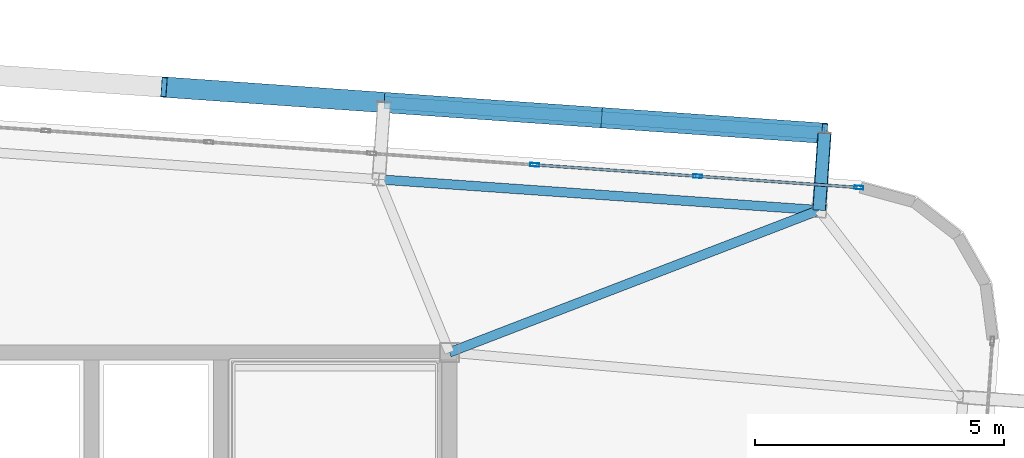
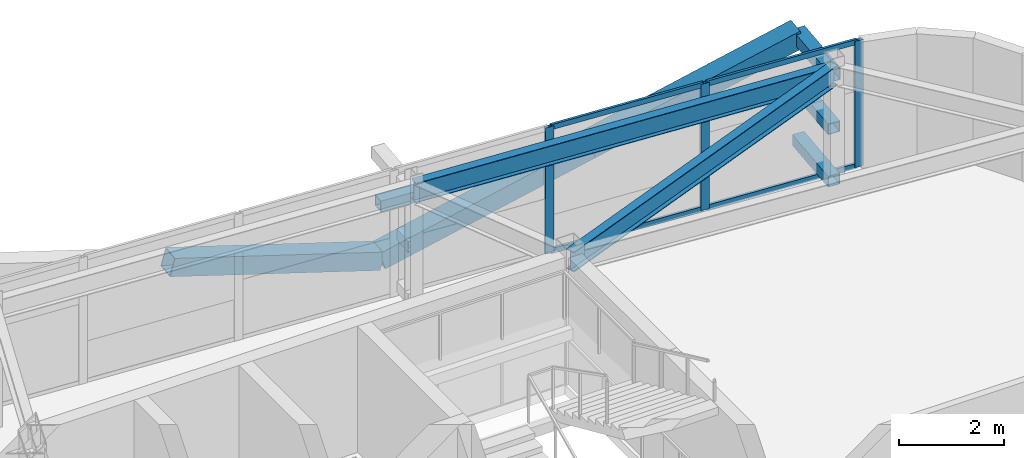
# One storey, part 30 of 47: 14 members, 2 beams, 1 element without a shape of its own.
"""IFC4 building model written with IfcOpenShell, lengths in metres."""

from ifc_helpers import new_model, si_unit, direction, frame, origin, origin_2d, place, context, subcontext, project, spatial, hollow_rectangle, i_section, extrude, source, transform, mapped, material, layer, layer_set, material_profile, profile_set, type_object, element, aggregate, save


model = new_model("IFC4")

# Units and contexts
model_context = context("Model", 3, precision=1e-05, world=origin(), true_north=direction((0.0, 1.0)))
body_context = subcontext(model_context, "Body", "Model", "MODEL_VIEW")
ifc_project = project(units=[si_unit("LENGTHUNIT", "METRE"), si_unit("AREAUNIT", "SQUARE_METRE"), si_unit("VOLUMEUNIT", "CUBIC_METRE"), si_unit("PLANEANGLEUNIT", "RADIAN"), si_unit("MASSUNIT", "GRAM", prefix="KILO")], contexts=[model_context])

# Site, building, storey
site_placement = place(None, origin())
site = spatial("IfcSite", under=ifc_project, at=site_placement, CompositionType="ELEMENT")
building_placement = place(site_placement, origin())
building = spatial("IfcBuilding", under=site, at=building_placement, Name="Taldren Reach Tower", CompositionType="ELEMENT")
storey_placement = place(building_placement, frame((0.0, 0.0, 139.300048828125)))
storey = spatial("IfcBuildingStorey", under=building, at=storey_placement, Name="L42", CompositionType="ELEMENT", Elevation=139.300048828125)

# Members
ifc_material_1 = material(Name="Steel Gr 450 (C450L0)", Category="steel")
ifc_material_profile_1 = material_profile(ifc_material_1, hollow_rectangle(XDim=0.27490234375, YDim=0.27490234375, WallThickness=0.00927734375, at=origin_2d()), Name="275x275x9.3SHS")
ifc_profile_set_1 = profile_set([ifc_material_profile_1], Name="Steel Gr 450 (C450L0)")
member_type_1 = type_object("IfcMemberType", Name="MB-TIE273", PredefinedType="STRUT", material=ifc_profile_set_1)
shared_shape_1 = source(origin(), body_context, "Body", "SweptSolid", [
    extrude(hollow_rectangle(XDim=0.27490234375, YDim=0.27490234375, WallThickness=0.00927734375, at=origin_2d()), origin(), (0.0, 0.0, 1.0), 1.5498046875),
])
member_1_placement = place(storey_placement, frame((58.4365234375, 34.861572265625, 2.64990234375), z_axis=(0.069780535098, 0.997562367434, 0.0), x_axis=(-0.997562367434, 0.069780535098, 0.0)))
element("IfcMember", 1, at=member_1_placement, inside=storey, type_object=member_type_1, Name="Exoskeleton diaphragm tie strut B3-N6 L42", PredefinedType="STRUT", context=body_context, shape_type="MappedRepresentation", body=[
    mapped(shared_shape_1, transform((0.0, 0.0, 0.0), scale=1.0)),
])
ifc_material_2 = material(Name="Steel Gr 350 (C350L0)", Category="steel")
ifc_material_profile_2 = material_profile(ifc_material_2, hollow_rectangle(XDim=0.25, YDim=0.25, WallThickness=0.010009765625, at=origin_2d()), Name="250x250x10.0SHS")
ifc_profile_set_2 = profile_set([ifc_material_profile_2], Name="Steel Gr 350 (C350L0)")
member_type_2 = type_object("IfcMemberType", Name="MB-POST250", PredefinedType="POST", material=ifc_profile_set_2)
shared_shape_2 = source(origin(), body_context, "Body", "SweptSolid", [
    extrude(hollow_rectangle(XDim=0.25, YDim=0.25, WallThickness=0.010009765625, at=origin_2d()), origin(), (0.0, 0.0, 1.0), 1.5498046875),
])
for number, where, z_axis, x_axis, name in (
    (2, (58.4365234375, 34.861572265625, 0.219970703125), (0.069780535098, 0.997562367434, 0.0), (-0.997562367434, 0.069780535098, 0.0), "Exoskeleton base diaphragm tie strut B3-N6 L42"),
    (3, (58.4365234375, 34.861572265625, 1.43505859375), (0.069780535098, 0.997562367434, 0.0), (-0.997562367434, 0.069780535098, 0.0), "Exoskeleton mid-tier diaphragm tie B3-N6 L42"),
):
    element("IfcMember", number, at=place(storey_placement, frame(where, z_axis=z_axis, x_axis=x_axis)), inside=storey, type_object=member_type_2, Name=name, PredefinedType="POST", context=body_context, shape_type="MappedRepresentation", body=[
        mapped(shared_shape_2, transform((0.0, 0.0, 0.0), scale=1.0)),
    ])

# Beams
ifc_material_3 = material(Name="Steel Gr 350 (350PLUS)", Category="steel")
ifc_material_profile_3 = material_profile(ifc_material_3, i_section(OverallWidth=0.18994140625, OverallDepth=0.4541015625, WebThickness=0.008544921875, FlangeThickness=0.0126953125, at=origin_2d()), Name="460UB67.1")
ifc_profile_set_3 = profile_set([ifc_material_profile_3], Name="Steel Gr 350 (350PLUS)")
beam_type_1 = type_object("IfcBeamType", Name="SP-UB460B", PredefinedType="SPANDREL", material=ifc_profile_set_3)
shared_shape_3 = source(origin(), body_context, "Body", "SweptSolid", [
    extrude(i_section(OverallWidth=0.18994140625, OverallDepth=0.4541015625, WebThickness=0.008544921875, FlangeThickness=0.0126953125, at=origin_2d()), origin(), (0.0, 0.0, 1.0), 8.880126953125),
])
beam_1_placement = place(storey_placement, frame((58.4365234375, 34.861572265625, 2.702880859375), z_axis=(-0.997564479639, 0.069750333063, 0.0), x_axis=(-0.069750333063, -0.997564479639, 0.0)))
element("IfcBeam", 4, at=beam_1_placement, inside=storey, type_object=beam_type_1, Name="Perimeter spandrel B3 N6-N5 L42", PredefinedType="SPANDREL", context=body_context, shape_type="MappedRepresentation", body=[
    mapped(shared_shape_3, transform((0.0, 0.0, 0.0), scale=1.0)),
])
ifc_material_profile_4 = material_profile(ifc_material_3, i_section(OverallWidth=0.19091796875, OverallDepth=0.4599609375, WebThickness=0.010009765625, FlangeThickness=0.01611328125, at=origin_2d()), Name="460UB82.1")
ifc_profile_set_4 = profile_set([ifc_material_profile_4], Name="Steel Gr 350 (350PLUS)")
beam_type_2 = type_object("IfcBeamType", Name="BM-UB460A", PredefinedType="BEAM", material=ifc_profile_set_4)
shared_shape_4 = source(origin(), body_context, "Body", "SweptSolid", [
    extrude(i_section(OverallWidth=0.19091796875, OverallDepth=0.4599609375, WebThickness=0.010009765625, FlangeThickness=0.01611328125, at=origin_2d()), origin(), (0.0, 0.0, 1.0), 7.968017578125),
])
beam_2_placement = place(storey_placement, frame((51.0, 32.0, 2.699951171875), z_axis=(0.933287947144, 0.359128956943, 0.0), x_axis=(-0.359128956943, 0.933287947144, 0.0)))
element("IfcBeam", 5, at=beam_2_placement, inside=storey, type_object=beam_type_2, Name="Primary floor girder B3-N6 L42", PredefinedType="BEAM", context=body_context, shape_type="MappedRepresentation", body=[
    mapped(shared_shape_4, transform((0.0, 0.0, 0.0), scale=1.0)),
])

# Members
shared_shape_5 = source(origin(), body_context, "Body", "SweptSolid", [
    extrude(hollow_rectangle(XDim=0.25, YDim=0.25, WallThickness=0.010009765625, at=origin_2d()), origin(), (0.0, 0.0, 1.0), 8.880126953125),
])
member_2_placement = place(storey_placement, frame((49.686279296875, 37.02734375, 1.43505859375), z_axis=(0.997562566276, -0.06977769246, 0.0), x_axis=(0.06977769246, 0.997562566276, 0.0)))
element("IfcMember", 6, at=member_2_placement, inside=storey, type_object=member_type_2, Name="Exoskeleton mid-height ring chord B3-N5 L42", PredefinedType="POST", context=body_context, shape_type="MappedRepresentation", body=[
    mapped(shared_shape_5, transform((0.0, 0.0, 0.0), scale=1.0)),
])
ifc_material_profile_5 = material_profile(ifc_material_1, hollow_rectangle(XDim=0.409912109375, YDim=0.409912109375, WallThickness=0.01611328125, at=origin_2d()), Name="410x410x16.0SHS")
ifc_profile_set_5 = profile_set([ifc_material_profile_5], Name="Steel Gr 450 (C450L0)")
member_type_3 = type_object("IfcMemberType", Name="MB-EXO406", PredefinedType="BRACE", material=ifc_profile_set_5)
shared_shape_6 = source(origin(), body_context, "Body", "SweptSolid", [
    extrude(hollow_rectangle(XDim=0.409912109375, YDim=0.409912109375, WallThickness=0.01611328125, at=origin_2d()), origin(), (0.0, 0.0, 1.0), 4.603271484375),
])
for number, where, z_axis, x_axis, name in (
    (7, (49.686279296875, 37.02734375, 0.219970703125), (-0.962185784239, 0.067250114343, 0.263962002434), (-0.069722973508, -0.997566392259, 0.0), "Exoskeleton Diagrid Brace B3-N4 L42"),
    (8, (49.686279296875, 37.02734375, 0.219970703125), (0.962182351074, -0.067302910567, 0.263961060594), (0.06977769246, 0.997562566276, 0.0), "Exoskeleton Diagrid Brace B3-N5 L42"),
    (9, (54.115478515625, 36.717529296875, 1.43505859375), (0.962195820062, -0.067303852699, 0.263911718699), (0.06977769246, 0.997562566276, 0.0), "Exoskeleton Diagrid Brace B3-N5 L42"),
):
    element("IfcMember", number, at=place(storey_placement, frame(where, z_axis=z_axis, x_axis=x_axis)), inside=storey, type_object=member_type_3, Name=name, PredefinedType="BRACE", context=body_context, shape_type="MappedRepresentation", body=[
        mapped(shared_shape_6, transform((0.0, 0.0, 0.0), scale=1.0)),
    ])

# Curtain wall, members
ifc_material_4 = material(Name="Aluminium and Low-E Glass Unitised System", Category="aluminium")
ifc_layer = layer(ifc_material_4, 0.159912109375)
ifc_layer_set = layer_set([ifc_layer], Name="Aluminium and Low-E Glass Unitised System")
curtain_wall_type = type_object("IfcCurtainWallType", Name="CW-SYS-4", PredefinedType="NOTDEFINED", material=ifc_layer_set)
curtain_wall_placement = place(storey_placement, origin())
curtain_wall = element("IfcCurtainWall", 10, at=curtain_wall_placement, inside=storey, type_object=curtain_wall_type, Name="Unitised curtain wall CW-L42-N", PredefinedType="NOTDEFINED")
ifc_material_5 = material(Name="Anodised Aluminium 6063-T6", Category="aluminium")
ifc_material_profile_6 = material_profile(ifc_material_5, hollow_rectangle(XDim=0.070068359375, YDim=0.179931640625, WallThickness=0.00390625, at=origin_2d()), Name="ALU-180x70x4RHS")
ifc_profile_set_6 = profile_set([ifc_material_profile_6], Name="Anodised Aluminium 6063-T6")
member_type_4 = type_object("IfcMemberType", Name="CW-MUL-180", PredefinedType="MULLION", material=ifc_profile_set_6)
shared_shape_7 = source(origin(), body_context, "Body", "SweptSolid", [
    extrude(hollow_rectangle(XDim=0.070068359375, YDim=0.179931640625, WallThickness=0.00390625, at=origin_2d()), origin(), (0.0, 0.0, 1.0), 2.929931640625),
])
member_3_placement = place(storey_placement, frame((59.235107421875, 35.31689453125, 0.0), z_axis=(0.0, 0.0, 1.0), x_axis=(-0.06975651593, -0.99756404731, 0.0)))
member_3 = element("IfcMember", 11, at=member_3_placement, type_object=member_type_4, Name="CW-4 mullion 1", PredefinedType="MULLION", context=body_context, shape_type="MappedRepresentation", body=[
    mapped(shared_shape_7, transform((0.0, 0.0, 0.0), scale=1.0)),
])
member_4_placement = place(storey_placement, frame((55.992431640625, 35.543701171875, 0.0), z_axis=(0.0, 0.0, 1.0), x_axis=(-0.06975651593, -0.99756404731, 0.0)))
member_4 = element("IfcMember", 12, at=member_4_placement, type_object=member_type_4, Name="CW-4 mullion 2", PredefinedType="MULLION", context=body_context, shape_type="MappedRepresentation", body=[
    mapped(shared_shape_7, transform((0.0, 0.0, 0.0), scale=1.0)),
])
member_5_placement = place(storey_placement, frame((52.714599609375, 35.77294921875, 0.0), z_axis=(0.0, 0.0, 1.0), x_axis=(-0.06975651593, -0.99756404731, 0.0)))
member_5 = element("IfcMember", 13, at=member_5_placement, type_object=member_type_4, Name="CW-4 mullion 3", PredefinedType="MULLION", context=body_context, shape_type="MappedRepresentation", body=[
    mapped(shared_shape_7, transform((0.0, 0.0, 0.0), scale=1.0)),
])
ifc_material_profile_7 = material_profile(ifc_material_5, hollow_rectangle(XDim=0.054931640625, YDim=0.1201171875, WallThickness=0.0029296875, at=origin_2d()), Name="ALU-120x55x3RHS")
ifc_profile_set_7 = profile_set([ifc_material_profile_7], Name="Anodised Aluminium 6063-T6")
member_type_5 = type_object("IfcMemberType", Name="CW-TRN-135", PredefinedType="USERDEFINED", material=ifc_profile_set_7)
shared_shape_8 = source(origin(), body_context, "Body", "SweptSolid", [
    extrude(hollow_rectangle(XDim=0.054931640625, YDim=0.1201171875, WallThickness=0.0029296875, at=origin_2d()), origin(), (0.0, 0.0, 1.0), 3.1806640625),
])
member_6_placement = place(storey_placement, frame((59.2001953125, 35.3193359375, 0.02734375), z_axis=(-0.997562815426, 0.069774130442, 0.0), x_axis=(-0.069774130442, -0.997562815426, 0.0)))
member_6 = element("IfcMember", 14, at=member_6_placement, type_object=member_type_5, Name="CW-4 transom 1.1", ObjectType="TRANSOM", PredefinedType="USERDEFINED", context=body_context, shape_type="MappedRepresentation", body=[
    mapped(shared_shape_8, transform((0.0, 0.0, 0.0), scale=1.0)),
])
member_7_placement = place(storey_placement, frame((59.2001953125, 35.3193359375, 2.90234375), z_axis=(-0.997562815426, 0.069774130442, 0.0), x_axis=(-0.069774130442, -0.997562815426, 0.0)))
member_7 = element("IfcMember", 15, at=member_7_placement, type_object=member_type_5, Name="CW-4 transom 1.2", ObjectType="TRANSOM", PredefinedType="USERDEFINED", context=body_context, shape_type="MappedRepresentation", body=[
    mapped(shared_shape_8, transform((0.0, 0.0, 0.0), scale=1.0)),
])
shared_shape_9 = source(origin(), body_context, "Body", "SweptSolid", [
    extrude(hollow_rectangle(XDim=0.054931640625, YDim=0.1201171875, WallThickness=0.0029296875, at=origin_2d()), origin(), (0.0, 0.0, 1.0), 3.2158203125),
])
member_8_placement = place(storey_placement, frame((55.95751953125, 35.546142578125, 0.02734375), z_axis=(-0.997563195991, 0.069768689278, 0.0), x_axis=(-0.069768689278, -0.997563195991, 0.0)))
member_8 = element("IfcMember", 16, at=member_8_placement, type_object=member_type_5, Name="CW-4 transom 2.1", ObjectType="TRANSOM", PredefinedType="USERDEFINED", context=body_context, shape_type="MappedRepresentation", body=[
    mapped(shared_shape_9, transform((0.0, 0.0, 0.0), scale=1.0)),
])
member_9_placement = place(storey_placement, frame((55.95751953125, 35.546142578125, 2.90234375), z_axis=(-0.997563195991, 0.069768689278, 0.0), x_axis=(-0.069768689278, -0.997563195991, 0.0)))
member_9 = element("IfcMember", 17, at=member_9_placement, type_object=member_type_5, Name="CW-4 transom 2.2", ObjectType="TRANSOM", PredefinedType="USERDEFINED", context=body_context, shape_type="MappedRepresentation", body=[
    mapped(shared_shape_9, transform((0.0, 0.0, 0.0), scale=1.0)),
])
aggregate(curtain_wall, [member_3, member_4, member_5, member_6, member_7, member_8, member_9])

save(model, "model.ifc")
